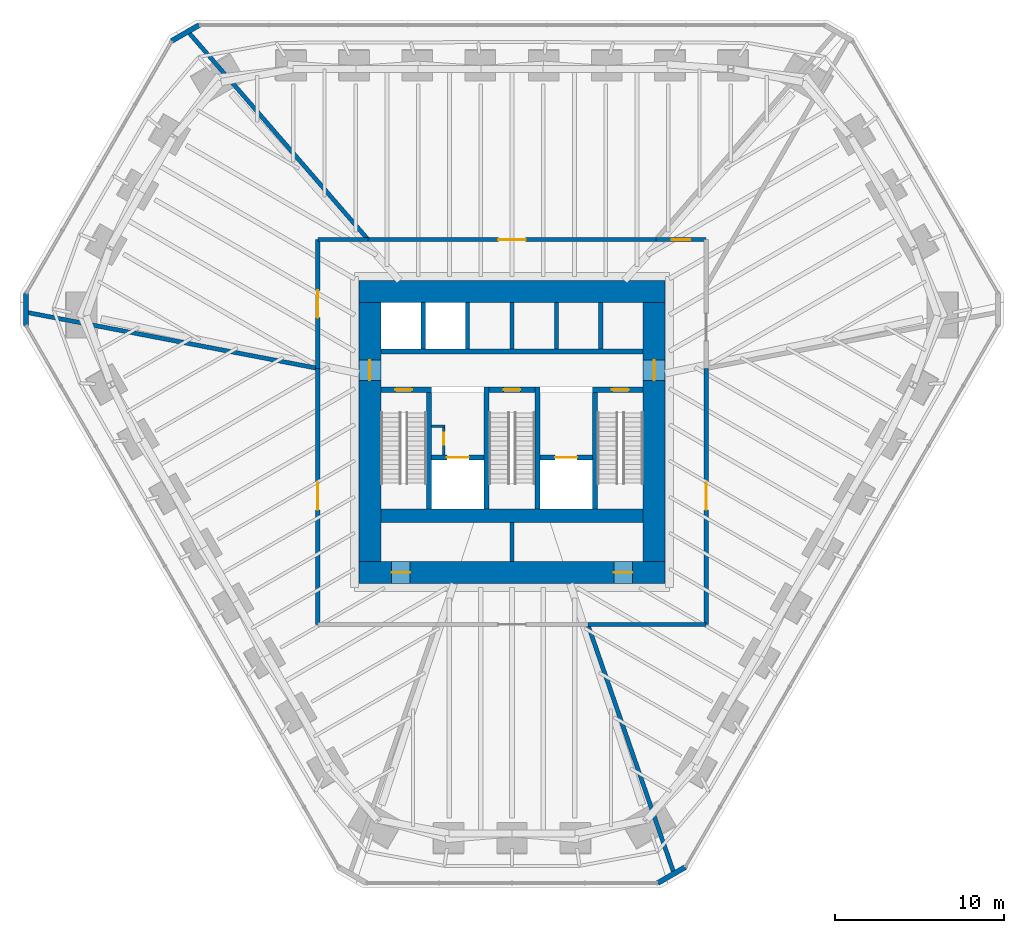
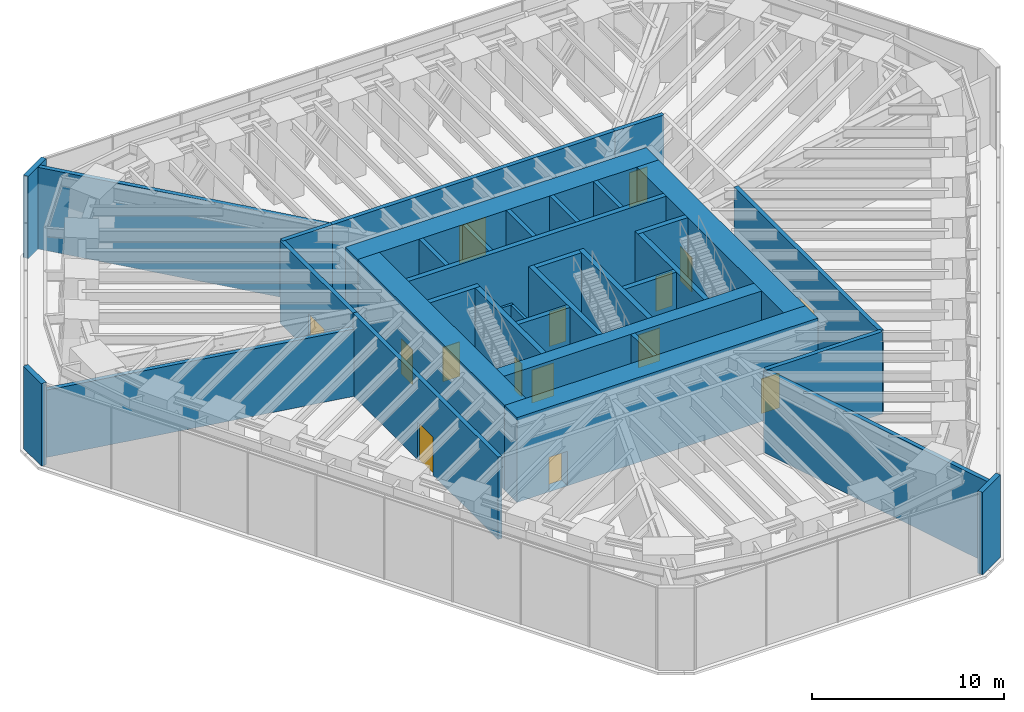
# One storey, part 10 of 12: 36 walls, 15 doors, 15 openings.
"""IFC4 building model written with IfcOpenShell, lengths in metres."""

from ifc_helpers import new_model, si_unit, direction, frame, frame_2d, origin, place, context, subcontext, project, spatial, rectangle, extrude, material, layer, layer_set, type_object, element, fill, save


model = new_model("IFC4")

# Units and contexts
model_context = context("Model", 3, precision=1e-05, world=origin(), true_north=direction((0.0, 1.0)))
body_context = subcontext(model_context, "Body", "Model", "MODEL_VIEW")
ifc_project = project(units=[si_unit("LENGTHUNIT", "METRE"), si_unit("AREAUNIT", "SQUARE_METRE"), si_unit("VOLUMEUNIT", "CUBIC_METRE"), si_unit("PLANEANGLEUNIT", "RADIAN"), si_unit("MASSUNIT", "GRAM", prefix="KILO")], contexts=[model_context])

# Site, building, storey
site_placement = place(None, origin())
site = spatial("IfcSite", under=ifc_project, at=site_placement, CompositionType="ELEMENT")
building_placement = place(site_placement, origin())
building = spatial("IfcBuilding", under=site, at=building_placement, Name="Sandreach Pilgrim Tower", CompositionType="ELEMENT")
storey_placement = place(building_placement, frame((0.0, 0.0, 172.800048828125)))
storey = spatial("IfcBuildingStorey", under=building, at=storey_placement, Name="L43", CompositionType="ELEMENT", Elevation=172.800048828125)

# Walls
ifc_material_1 = material(Name="Concrete 10000 psi", Category="concrete")
ifc_layer_1 = layer(ifc_material_1, 0.300048828125)
ifc_layer_set_1 = layer_set([ifc_layer_1], Name="Core inner wall 300")
wall_type_1 = type_object("IfcWallType", Name="Core inner wall 300", PredefinedType="SHEAR", material=ifc_layer_set_1)
for number, where, z_axis, x_axis, name in (
    (1, (-4.89990234375, -6.10009765625, 0.0), (0.0, 0.0, 1.0), (0.0, 1.0, 0.0), "Core wall I0 L43"),
    (2, (-1.5, -6.10009765625, 0.0), (0.0, 0.0, 1.0), (0.0, 1.0, 0.0), "Core wall I1 L43"),
    (3, (1.5, -6.10009765625, 0.0), (0.0, 0.0, 1.0), (0.0, 1.0, 0.0), "Core wall I2 L43"),
    (4, (4.89990234375, -6.10009765625, 0.0), (0.0, 0.0, 1.0), (0.0, 1.0, 0.0), "Core wall I3 L43"),
):
    element("IfcWall", number, at=place(storey_placement, frame(where, z_axis=z_axis, x_axis=x_axis)), inside=storey, type_object=wall_type_1, Name=name, PredefinedType="SHEAR", context=body_context, shape_type="SweptSolid", body=[
        extrude(rectangle(XDim=7.2001953125, YDim=0.300048828125, at=frame_2d((3.60009765625, 0.0))), origin(), (0.0, 0.0, 1.0), 5.39990234375),
    ])

# Wall, opening, door
wall_1_placement = place(storey_placement, frame((-7.75, 0.949951171875, 0.0), z_axis=(0.0, 0.0, 1.0), x_axis=(1.0, 0.0, 0.0)))
wall_1 = element("IfcWall", 5, at=wall_1_placement, inside=storey, type_object=wall_type_1, Name="Core wall SN1 L43", PredefinedType="SHEAR", context=body_context, shape_type="SweptSolid", body=[
    extrude(rectangle(XDim=3.0, YDim=0.300048828125, at=frame_2d((1.5, 0.0))), origin(), (0.0, 0.0, 1.0), 5.39990234375),
])
opening_1_placement = place(wall_1_placement, frame((0.85009765625, 0.0, 0.0)))
opening_1 = element("IfcOpeningElement", 6, at=opening_1_placement, cuts=wall_1, Name="Opening D10S-ST1", PredefinedType="OPENING", context=body_context, shape_type="SweptSolid", body=[
    extrude(rectangle(XDim=1.0, YDim=2.199951171875, at=frame_2d((0.5, 1.10009765625))), frame((0.0, 0.14990234375, 0.0), z_axis=(0.0, -1.0, 0.0), x_axis=(1.0, 0.0, 0.0)), (0.0, 0.0, 1.0), 0.300048828125),
])
ifc_material_2 = material(Name="Steel door and frame", Category="steel")
door_type_1 = type_object("IfcDoorType", Name="Stair door", OperationType="SINGLE_SWING_LEFT", PredefinedType="DOOR", material=ifc_material_2)
door_1_placement = place(opening_1_placement, origin())
door_1 = element("IfcDoor", 7, at=door_1_placement, inside=storey, type_object=door_type_1, Name="Stair door ST1 L43", OperationType="SINGLE_SWING_LEFT", OverallHeight=2.199951171875, OverallWidth=1.0, PredefinedType="DOOR", context=body_context, shape_type="SweptSolid", body=[
    extrude(rectangle(XDim=1.0, YDim=2.199951171875, at=frame_2d((0.5, 1.10009765625))), frame((0.0, 0.02490234375, 0.0), z_axis=(0.0, -1.0, 0.0), x_axis=(1.0, 0.0, 0.0)), (0.0, 0.0, 1.0), 0.050048828125),
])
fill(opening_1, door_1)

wall_2_placement = place(storey_placement, frame((-1.35009765625, 0.949951171875, 0.0), z_axis=(0.0, 0.0, 1.0), x_axis=(1.0, 0.0, 0.0)))
wall_2 = element("IfcWall", 8, at=wall_2_placement, inside=storey, type_object=wall_type_1, Name="Core wall SN3 L43", PredefinedType="SHEAR", context=body_context, shape_type="SweptSolid", body=[
    extrude(rectangle(XDim=2.7001953125, YDim=0.300048828125, at=frame_2d((1.35009765625, 0.0))), origin(), (0.0, 0.0, 1.0), 5.39990234375),
])
opening_2_placement = place(wall_2_placement, frame((0.85009765625, 0.0, 0.0)))
opening_2 = element("IfcOpeningElement", 9, at=opening_2_placement, cuts=wall_2, Name="Opening D10S-ST3", PredefinedType="OPENING", context=body_context, shape_type="SweptSolid", body=[
    extrude(rectangle(XDim=1.0, YDim=2.199951171875, at=frame_2d((0.5, 1.10009765625))), frame((0.0, 0.14990234375, 0.0), z_axis=(0.0, -1.0, 0.0), x_axis=(1.0, 0.0, 0.0)), (0.0, 0.0, 1.0), 0.300048828125),
])
door_2_placement = place(opening_2_placement, origin())
door_2 = element("IfcDoor", 10, at=door_2_placement, inside=storey, type_object=door_type_1, Name="Stair door ST3 L43", OperationType="SINGLE_SWING_LEFT", OverallHeight=2.199951171875, OverallWidth=1.0, PredefinedType="DOOR", context=body_context, shape_type="SweptSolid", body=[
    extrude(rectangle(XDim=1.0, YDim=2.199951171875, at=frame_2d((0.5, 1.10009765625))), frame((0.0, 0.02490234375, 0.0), z_axis=(0.0, -1.0, 0.0), x_axis=(1.0, 0.0, 0.0)), (0.0, 0.0, 1.0), 0.050048828125),
])
fill(opening_2, door_2)

wall_3_placement = place(storey_placement, frame((4.75, 0.949951171875, 0.0), z_axis=(0.0, 0.0, 1.0), x_axis=(1.0, 0.0, 0.0)))
wall_3 = element("IfcWall", 11, at=wall_3_placement, inside=storey, type_object=wall_type_1, Name="Core wall SN2 L43", PredefinedType="SHEAR", context=body_context, shape_type="SweptSolid", body=[
    extrude(rectangle(XDim=3.0, YDim=0.300048828125, at=frame_2d((1.5, 0.0))), origin(), (0.0, 0.0, 1.0), 5.39990234375),
])
opening_3_placement = place(wall_3_placement, frame((1.14990234375, 0.0, 0.0)))
opening_3 = element("IfcOpeningElement", 12, at=opening_3_placement, cuts=wall_3, Name="Opening D10S-ST2", PredefinedType="OPENING", context=body_context, shape_type="SweptSolid", body=[
    extrude(rectangle(XDim=1.0, YDim=2.199951171875, at=frame_2d((0.5, 1.10009765625))), frame((0.0, 0.14990234375, 0.0), z_axis=(0.0, -1.0, 0.0), x_axis=(1.0, 0.0, 0.0)), (0.0, 0.0, 1.0), 0.300048828125),
])
door_3_placement = place(opening_3_placement, origin())
door_3 = element("IfcDoor", 13, at=door_3_placement, inside=storey, type_object=door_type_1, Name="Stair door ST2 L43", OperationType="SINGLE_SWING_RIGHT", OverallHeight=2.199951171875, OverallWidth=1.0, PredefinedType="DOOR", context=body_context, shape_type="SweptSolid", body=[
    extrude(rectangle(XDim=1.0, YDim=2.199951171875, at=frame_2d((0.5, 1.10009765625))), frame((0.0, 0.02490234375, 0.0), z_axis=(0.0, -1.0, 0.0), x_axis=(1.0, 0.0, 0.0)), (0.0, 0.0, 1.0), 0.050048828125),
])
fill(opening_3, door_3)

wall_4_placement = place(storey_placement, frame((-4.75, -3.050048828125, 0.0), z_axis=(0.0, 0.0, 1.0), x_axis=(1.0, 0.0, 0.0)))
wall_4 = element("IfcWall", 14, at=wall_4_placement, inside=storey, type_object=wall_type_1, Name="Core wall FL1 L43", PredefinedType="SHEAR", context=body_context, shape_type="SweptSolid", body=[
    extrude(rectangle(XDim=3.10009765625, YDim=0.300048828125, at=frame_2d((1.550048828125, 0.0))), origin(), (0.0, 0.0, 1.0), 5.39990234375),
])
opening_4_placement = place(wall_4_placement, frame((0.89990234375, 0.0, 0.0)))
opening_4 = element("IfcOpeningElement", 15, at=opening_4_placement, cuts=wall_4, Name="Opening LD13", PredefinedType="OPENING", context=body_context, shape_type="SweptSolid", body=[
    extrude(rectangle(XDim=1.300048828125, YDim=2.10009765625, at=frame_2d((0.64990234375, 1.050048828125))), frame((0.0, 0.14990234375, 0.0), z_axis=(0.0, -1.0, 0.0), x_axis=(1.0, 0.0, 0.0)), (0.0, 0.0, 1.0), 0.300048828125),
])
ifc_material_3 = material(Name="Steel door and frame", Category="steel")
door_type_2 = type_object("IfcDoorType", Name="Fire service lift landing door", OperationType="DOUBLE_DOOR_SLIDING", PredefinedType="DOOR", material=ifc_material_3)
door_4_placement = place(opening_4_placement, origin())
door_4 = element("IfcDoor", 16, at=door_4_placement, inside=storey, type_object=door_type_2, Name="Lift landing door FS1 L43", OperationType="DOUBLE_DOOR_SLIDING", OverallHeight=2.10009765625, OverallWidth=1.300048828125, PredefinedType="DOOR", context=body_context, shape_type="SweptSolid", body=[
    extrude(rectangle(XDim=1.300048828125, YDim=2.10009765625, at=frame_2d((0.64990234375, 1.050048828125))), frame((0.0, 0.02490234375, 0.0), z_axis=(0.0, -1.0, 0.0), x_axis=(1.0, 0.0, 0.0)), (0.0, 0.0, 1.0), 0.050048828125),
])
fill(opening_4, door_4)

wall_5_placement = place(storey_placement, frame((1.64990234375, -3.050048828125, 0.0), z_axis=(0.0, 0.0, 1.0), x_axis=(1.0, 0.0, 0.0)))
wall_5 = element("IfcWall", 17, at=wall_5_placement, inside=storey, type_object=wall_type_1, Name="Core wall FL2 L43", PredefinedType="SHEAR", context=body_context, shape_type="SweptSolid", body=[
    extrude(rectangle(XDim=3.10009765625, YDim=0.300048828125, at=frame_2d((1.550048828125, 0.0))), origin(), (0.0, 0.0, 1.0), 5.39990234375),
])
opening_5_placement = place(wall_5_placement, frame((0.89990234375, 0.0, 0.0)))
opening_5 = element("IfcOpeningElement", 18, at=opening_5_placement, cuts=wall_5, Name="Opening LD13", PredefinedType="OPENING", context=body_context, shape_type="SweptSolid", body=[
    extrude(rectangle(XDim=1.300048828125, YDim=2.10009765625, at=frame_2d((0.64990234375, 1.050048828125))), frame((0.0, 0.14990234375, 0.0), z_axis=(0.0, -1.0, 0.0), x_axis=(1.0, 0.0, 0.0)), (0.0, 0.0, 1.0), 0.300048828125),
])
door_5_placement = place(opening_5_placement, origin())
door_5 = element("IfcDoor", 19, at=door_5_placement, inside=storey, type_object=door_type_2, Name="Lift landing door FS2 L43", OperationType="DOUBLE_DOOR_SLIDING", OverallHeight=2.10009765625, OverallWidth=1.300048828125, PredefinedType="DOOR", context=body_context, shape_type="SweptSolid", body=[
    extrude(rectangle(XDim=1.300048828125, YDim=2.10009765625, at=frame_2d((0.64990234375, 1.050048828125))), frame((0.0, 0.02490234375, 0.0), z_axis=(0.0, -1.0, 0.0), x_axis=(1.0, 0.0, 0.0)), (0.0, 0.0, 1.0), 0.050048828125),
])
fill(opening_5, door_5)

# Walls
wall_6_placement = place(storey_placement, frame((-7.75, 3.199951171875, 0.0), z_axis=(0.0, 0.0, 1.0), x_axis=(1.0, 0.0, 0.0)))
element("IfcWall", 20, at=wall_6_placement, inside=storey, type_object=wall_type_1, Name="Core wall PN L43", PredefinedType="SHEAR", context=body_context, shape_type="SweptSolid", body=[
    extrude(rectangle(XDim=15.5, YDim=0.300048828125, at=frame_2d((7.75, 0.0))), origin(), (0.0, 0.0, 1.0), 5.39990234375),
])
ifc_material_4 = material(Name="Concrete 10000 psi", Category="concrete")
ifc_layer_2 = layer(ifc_material_4, 0.800048828125)
ifc_layer_set_2 = layer_set([ifc_layer_2], Name="Core mid wall 800")
wall_type_2 = type_object("IfcWallType", Name="Core mid wall 800", PredefinedType="SHEAR", material=ifc_layer_set_2)
wall_7_placement = place(storey_placement, frame((-7.75, -6.5, 0.0), z_axis=(0.0, 0.0, 1.0), x_axis=(1.0, 0.0, 0.0)))
element("IfcWall", 21, at=wall_7_placement, inside=storey, type_object=wall_type_2, Name="Core wall M L43", PredefinedType="SHEAR", context=body_context, shape_type="SweptSolid", body=[
    extrude(rectangle(XDim=15.5, YDim=0.800048828125, at=frame_2d((7.75, 0.0))), origin(), (0.0, 0.0, 1.0), 5.39990234375),
])
ifc_material_5 = material(Name="Concrete 10000 psi", Category="concrete")
ifc_layer_3 = layer(ifc_material_5, 1.300048828125)
ifc_layer_set_3 = layer_set([ifc_layer_3], Name="Core wall 1300")
wall_type_3 = type_object("IfcWallType", Name="Core wall 1300", PredefinedType="SHEAR", material=ifc_layer_set_3)
wall_8_placement = place(storey_placement, frame((-9.050048828125, 6.75, 0.0), z_axis=(0.0, 0.0, 1.0), x_axis=(1.0, 0.0, 0.0)))
element("IfcWall", 22, at=wall_8_placement, inside=storey, type_object=wall_type_3, Name="Core wall N L43", PredefinedType="SHEAR", context=body_context, shape_type="SweptSolid", body=[
    extrude(rectangle(XDim=18.10009765625, YDim=1.300048828125, at=frame_2d((9.050048828125, 0.0))), origin(), (0.0, 0.0, 1.0), 5.39990234375),
])

# Wall, openings, doors
wall_9_placement = place(storey_placement, frame((-9.050048828125, -9.85009765625, 0.0), z_axis=(0.0, 0.0, 1.0), x_axis=(1.0, 0.0, 0.0)))
wall_9 = element("IfcWall", 23, at=wall_9_placement, inside=storey, type_object=wall_type_3, Name="Core wall S L43", PredefinedType="SHEAR", context=body_context, shape_type="SweptSolid", body=[
    extrude(rectangle(XDim=18.10009765625, YDim=1.300048828125, at=frame_2d((9.050048828125, 0.0))), origin(), (0.0, 0.0, 1.0), 5.39990234375),
])
opening_6_placement = place(wall_9_placement, frame((1.9375, 0.0, 0.0)))
opening_6 = element("IfcOpeningElement", 24, at=opening_6_placement, cuts=wall_9, Name="Opening D11H", PredefinedType="OPENING", context=body_context, shape_type="SweptSolid", body=[
    extrude(rectangle(XDim=1.10009765625, YDim=2.199951171875, at=frame_2d((0.550048828125, 1.10009765625))), frame((0.0, 0.64990234375, 0.0), z_axis=(0.0, -1.0, 0.0), x_axis=(1.0, 0.0, 0.0)), (0.0, 0.0, 1.0), 1.300048828125),
])
opening_7_placement = place(wall_9_placement, frame((15.0625, 0.0, 0.0)))
opening_7 = element("IfcOpeningElement", 25, at=opening_7_placement, cuts=wall_9, Name="Opening D11SL", PredefinedType="OPENING", context=body_context, shape_type="SweptSolid", body=[
    extrude(rectangle(XDim=1.10009765625, YDim=2.199951171875, at=frame_2d((0.550048828125, 1.10009765625))), frame((0.0, 0.64990234375, 0.0), z_axis=(0.0, -1.0, 0.0), x_axis=(1.0, 0.0, 0.0)), (0.0, 0.0, 1.0), 1.300048828125),
])
ifc_material_6 = material(Name="Steel door and frame", Category="steel")
door_type_3 = type_object("IfcDoorType", Name="Back of house door", OperationType="SINGLE_SWING_LEFT", PredefinedType="DOOR", material=ifc_material_6)
door_6_placement = place(opening_6_placement, origin())
door_6 = element("IfcDoor", 26, at=door_6_placement, inside=storey, type_object=door_type_3, Name="Door plant store 43K1", OperationType="SINGLE_SWING_LEFT", OverallHeight=2.199951171875, OverallWidth=1.10009765625, PredefinedType="DOOR", context=body_context, shape_type="SweptSolid", body=[
    extrude(rectangle(XDim=1.10009765625, YDim=2.199951171875, at=frame_2d((0.550048828125, 1.10009765625))), frame((0.0, 0.02490234375, 0.0), z_axis=(0.0, -1.0, 0.0), x_axis=(1.0, 0.0, 0.0)), (0.0, 0.0, 1.0), 0.050048828125),
])
fill(opening_6, door_6)
ifc_material_7 = material(Name="Steel sliding door and frame", Category="steel")
door_type_4 = type_object("IfcDoorType", Name="Core room sliding door", OperationType="SLIDING_TO_LEFT", PredefinedType="DOOR", material=ifc_material_7)
door_7_placement = place(opening_7_placement, origin())
door_7 = element("IfcDoor", 27, at=door_7_placement, inside=storey, type_object=door_type_4, Name="Door plant store 43K2", OperationType="SLIDING_TO_LEFT", OverallHeight=2.199951171875, OverallWidth=1.10009765625, PredefinedType="DOOR", context=body_context, shape_type="SweptSolid", body=[
    extrude(rectangle(XDim=1.10009765625, YDim=2.199951171875, at=frame_2d((0.550048828125, 1.10009765625))), frame((0.0, 0.02490234375, 0.0), z_axis=(0.0, -1.0, 0.0), x_axis=(1.0, 0.0, 0.0)), (0.0, 0.0, 1.0), 0.050048828125),
])
fill(opening_7, door_7)

# Wall, opening, door
wall_10_placement = place(storey_placement, frame((-8.39990234375, -9.199951171875, 0.0), z_axis=(0.0, 0.0, 1.0), x_axis=(0.0, 1.0, 0.0)))
wall_10 = element("IfcWall", 28, at=wall_10_placement, inside=storey, type_object=wall_type_3, Name="Core wall W L43", PredefinedType="SHEAR", context=body_context, shape_type="SweptSolid", body=[
    extrude(rectangle(XDim=15.300048828125, YDim=1.300048828125, at=frame_2d((7.64990234375, 0.0))), origin(), (0.0, 0.0, 1.0), 5.39990234375),
])
opening_8_placement = place(wall_10_placement, frame((10.699951171875, 0.0, 0.0)))
opening_8 = element("IfcOpeningElement", 29, at=opening_8_placement, cuts=wall_10, Name="Opening D12F-W", PredefinedType="OPENING", context=body_context, shape_type="SweptSolid", body=[
    extrude(rectangle(XDim=1.199951171875, YDim=2.199951171875, at=frame_2d((0.60009765625, 1.10009765625))), frame((0.0, 0.64990234375, 0.0), z_axis=(0.0, -1.0, 0.0), x_axis=(1.0, 0.0, 0.0)), (0.0, 0.0, 1.0), 1.300048828125),
])
ifc_material_8 = material(Name="Steel door and frame", Category="steel")
door_type_5 = type_object("IfcDoorType", Name="Fire lobby door", OperationType="SINGLE_SWING_LEFT", PredefinedType="DOOR", material=ifc_material_8)
door_8_placement = place(opening_8_placement, origin())
door_8 = element("IfcDoor", 30, at=door_8_placement, inside=storey, type_object=door_type_5, Name="Fire service lobby door W L43", OperationType="SINGLE_SWING_RIGHT", OverallHeight=2.199951171875, OverallWidth=1.199951171875, PredefinedType="DOOR", context=body_context, shape_type="SweptSolid", body=[
    extrude(rectangle(XDim=1.199951171875, YDim=2.199951171875, at=frame_2d((0.60009765625, 1.10009765625))), frame((0.0, 0.02490234375, 0.0), z_axis=(0.0, -1.0, 0.0), x_axis=(1.0, 0.0, 0.0)), (0.0, 0.0, 1.0), 0.050048828125),
])
fill(opening_8, door_8)

wall_11_placement = place(storey_placement, frame((8.39990234375, -9.199951171875, 0.0), z_axis=(0.0, 0.0, 1.0), x_axis=(0.0, 1.0, 0.0)))
wall_11 = element("IfcWall", 31, at=wall_11_placement, inside=storey, type_object=wall_type_3, Name="Core wall E L43", PredefinedType="SHEAR", context=body_context, shape_type="SweptSolid", body=[
    extrude(rectangle(XDim=15.300048828125, YDim=1.300048828125, at=frame_2d((7.64990234375, 0.0))), origin(), (0.0, 0.0, 1.0), 5.39990234375),
])
opening_9_placement = place(wall_11_placement, frame((10.699951171875, 0.0, 0.0)))
opening_9 = element("IfcOpeningElement", 32, at=opening_9_placement, cuts=wall_11, Name="Opening D12F-E", PredefinedType="OPENING", context=body_context, shape_type="SweptSolid", body=[
    extrude(rectangle(XDim=1.199951171875, YDim=2.199951171875, at=frame_2d((0.60009765625, 1.10009765625))), frame((0.0, 0.64990234375, 0.0), z_axis=(0.0, -1.0, 0.0), x_axis=(1.0, 0.0, 0.0)), (0.0, 0.0, 1.0), 1.300048828125),
])
door_9_placement = place(opening_9_placement, origin())
door_9 = element("IfcDoor", 33, at=door_9_placement, inside=storey, type_object=door_type_5, Name="Fire service lobby door E L43", OperationType="SINGLE_SWING_RIGHT", OverallHeight=2.199951171875, OverallWidth=1.199951171875, PredefinedType="DOOR", context=body_context, shape_type="SweptSolid", body=[
    extrude(rectangle(XDim=1.199951171875, YDim=2.199951171875, at=frame_2d((0.60009765625, 1.10009765625))), frame((0.0, 0.02490234375, 0.0), z_axis=(0.0, -1.0, 0.0), x_axis=(1.0, 0.0, 0.0)), (0.0, 0.0, 1.0), 0.050048828125),
])
fill(opening_9, door_9)

# Wall
ifc_material_9 = material(Name="Acoustic gypsum board wall, double frame", Category="gypsum")
ifc_layer_4 = layer(ifc_material_9, 0.25)
ifc_layer_set_4 = layer_set([ifc_layer_4], Name="Hall partition 250")
wall_type_4 = type_object("IfcWallType", Name="Hall partition 250", PredefinedType="PARTITIONING", material=ifc_layer_set_4)
wall_12_placement = place(storey_placement, frame((-28.740478515625, 5.534423828125, 0.0), z_axis=(0.0, 0.0, 1.0), x_axis=(0.981972569211, -0.189023472928, 0.0)))
element("IfcWall", 34, at=wall_12_placement, inside=storey, type_object=wall_type_4, Name="Hall partition L43-001", PredefinedType="PARTITIONING", context=body_context, shape_type="SweptSolid", body=[
    extrude(rectangle(XDim=17.587646484375, YDim=0.25, at=frame_2d((8.7939453125, 0.0))), origin(), (0.0, 0.0, 1.0), 4.282470703125),
])

# Wall, opening, door
wall_13_placement = place(storey_placement, frame((-11.469970703125, 2.2099609375, 0.0), z_axis=(0.0, 0.0, 1.0), x_axis=(0.0, -1.0, 0.0)))
wall_13 = element("IfcWall", 35, at=wall_13_placement, inside=storey, type_object=wall_type_4, Name="Hall partition L43-003", PredefinedType="PARTITIONING", context=body_context, shape_type="SweptSolid", body=[
    extrude(rectangle(XDim=15.1298828125, YDim=0.25, at=frame_2d((7.56494140625, 0.0))), origin(), (0.0, 0.0, 1.0), 5.239990234375),
])
opening_10_placement = place(wall_13_placement, frame((6.764892578125, 0.0, 0.0)))
opening_10 = element("IfcOpeningElement", 36, at=opening_10_placement, cuts=wall_13, Name="Opening D16-05", PredefinedType="OPENING", context=body_context, shape_type="SweptSolid", body=[
    extrude(rectangle(XDim=1.60009765625, YDim=2.39990234375, at=frame_2d((0.800048828125, 1.199951171875))), frame((0.0, 0.125, 0.0), z_axis=(0.0, -1.0, 0.0), x_axis=(1.0, 0.0, 0.0)), (0.0, 0.0, 1.0), 0.25),
])
ifc_material_10 = material(Name="Steel door and frame", Category="steel")
door_type_6 = type_object("IfcDoorType", Name="Hall double door", OperationType="DOUBLE_DOOR_SINGLE_SWING", PredefinedType="DOOR", material=ifc_material_10)
door_10_placement = place(opening_10_placement, origin())
door_10 = element("IfcDoor", 37, at=door_10_placement, inside=storey, type_object=door_type_6, Name="Door 4305", OperationType="DOUBLE_DOOR_SINGLE_SWING", OverallHeight=2.39990234375, OverallWidth=1.60009765625, PredefinedType="DOOR", context=body_context, shape_type="SweptSolid", body=[
    extrude(rectangle(XDim=1.60009765625, YDim=2.39990234375, at=frame_2d((0.800048828125, 1.199951171875))), frame((0.0, 0.02490234375, 0.0), z_axis=(0.0, -1.0, 0.0), x_axis=(1.0, 0.0, 0.0)), (0.0, 0.0, 1.0), 0.050048828125),
])
fill(opening_10, door_10)

wall_14_placement = place(storey_placement, frame((-11.469970703125, 9.820068359375, 0.0), z_axis=(0.0, 0.0, 1.0), x_axis=(0.0, -1.0, 0.0)))
wall_14 = element("IfcWall", 38, at=wall_14_placement, inside=storey, type_object=wall_type_4, Name="Hall partition L43-004", PredefinedType="PARTITIONING", context=body_context, shape_type="SweptSolid", body=[
    extrude(rectangle(XDim=7.610107421875, YDim=0.25, at=frame_2d((3.80517578125, 0.0))), origin(), (0.0, 0.0, 1.0), 5.239990234375),
])
opening_11_placement = place(wall_14_placement, frame((3.0048828125, 0.0, 0.0)))
opening_11 = element("IfcOpeningElement", 39, at=opening_11_placement, cuts=wall_14, Name="Opening D16-06", PredefinedType="OPENING", context=body_context, shape_type="SweptSolid", body=[
    extrude(rectangle(XDim=1.60009765625, YDim=2.39990234375, at=frame_2d((0.800048828125, 1.199951171875))), frame((0.0, 0.125, 0.0), z_axis=(0.0, -1.0, 0.0), x_axis=(1.0, 0.0, 0.0)), (0.0, 0.0, 1.0), 0.25),
])
door_11_placement = place(opening_11_placement, origin())
door_11 = element("IfcDoor", 40, at=door_11_placement, inside=storey, type_object=door_type_6, Name="Door 4306", OperationType="DOUBLE_DOOR_SINGLE_SWING", OverallHeight=2.39990234375, OverallWidth=1.60009765625, PredefinedType="DOOR", context=body_context, shape_type="SweptSolid", body=[
    extrude(rectangle(XDim=1.60009765625, YDim=2.39990234375, at=frame_2d((0.800048828125, 1.199951171875))), frame((0.0, 0.02490234375, 0.0), z_axis=(0.0, -1.0, 0.0), x_axis=(1.0, 0.0, 0.0)), (0.0, 0.0, 1.0), 0.050048828125),
])
fill(opening_11, door_11)

# Walls
wall_15_placement = place(storey_placement, frame((-8.5, 9.820068359375, 0.0), z_axis=(0.0, 0.0, 1.0), x_axis=(-0.654720442505, 0.755871114785, 0.0)))
element("IfcWall", 41, at=wall_15_placement, inside=storey, type_object=wall_type_4, Name="Hall partition L43-006", PredefinedType="PARTITIONING", context=body_context, shape_type="SweptSolid", body=[
    extrude(rectangle(XDim=16.282470703125, YDim=0.25, at=frame_2d((8.14111328125, 0.0))), origin(), (0.0, 0.0, 1.0), 5.199951171875),
])
wall_16_placement = place(storey_placement, frame((-8.5, 9.820068359375, 0.0), z_axis=(0.0, 0.0, 1.0), x_axis=(-1.0, 0.0, 0.0)))
element("IfcWall", 42, at=wall_16_placement, inside=storey, type_object=wall_type_4, Name="Hall partition L43-007", PredefinedType="PARTITIONING", context=body_context, shape_type="SweptSolid", body=[
    extrude(rectangle(XDim=2.969970703125, YDim=0.25, at=frame_2d((1.48486328125, 0.0))), origin(), (0.0, 0.0, 1.0), 5.239990234375),
])
wall_17_placement = place(storey_placement, frame((4.47998046875, -12.919921875, 0.0), z_axis=(0.0, 0.0, 1.0), x_axis=(1.0, 0.0, 0.0)))
element("IfcWall", 43, at=wall_17_placement, inside=storey, type_object=wall_type_4, Name="Hall partition L43-009", PredefinedType="PARTITIONING", context=body_context, shape_type="SweptSolid", body=[
    extrude(rectangle(XDim=6.989990234375, YDim=0.25, at=frame_2d((3.4951171875, 0.0))), origin(), (0.0, 0.0, 1.0), 5.239990234375),
])

# Wall, opening, door
wall_18_placement = place(storey_placement, frame((8.5, 9.820068359375, 0.0), z_axis=(0.0, 0.0, 1.0), x_axis=(-1.0, 0.0, 0.0)))
wall_18 = element("IfcWall", 44, at=wall_18_placement, inside=storey, type_object=wall_type_4, Name="Hall partition L43-010", PredefinedType="PARTITIONING", context=body_context, shape_type="SweptSolid", body=[
    extrude(rectangle(XDim=17.0, YDim=0.25, at=frame_2d((8.5, 0.0))), origin(), (0.0, 0.0, 1.0), 5.239990234375),
])
opening_12_placement = place(wall_18_placement, frame((7.699951171875, 0.0, 0.0)))
opening_12 = element("IfcOpeningElement", 45, at=opening_12_placement, cuts=wall_18, Name="Opening D16-01", PredefinedType="OPENING", context=body_context, shape_type="SweptSolid", body=[
    extrude(rectangle(XDim=1.60009765625, YDim=2.39990234375, at=frame_2d((0.800048828125, 1.199951171875))), frame((0.0, 0.125, 0.0), z_axis=(0.0, -1.0, 0.0), x_axis=(1.0, 0.0, 0.0)), (0.0, 0.0, 1.0), 0.25),
])
door_12_placement = place(opening_12_placement, origin())
door_12 = element("IfcDoor", 46, at=door_12_placement, inside=storey, type_object=door_type_6, Name="Door 4301", OperationType="DOUBLE_DOOR_SINGLE_SWING", OverallHeight=2.39990234375, OverallWidth=1.60009765625, PredefinedType="DOOR", context=body_context, shape_type="SweptSolid", body=[
    extrude(rectangle(XDim=1.60009765625, YDim=2.39990234375, at=frame_2d((0.800048828125, 1.199951171875))), frame((0.0, 0.02490234375, 0.0), z_axis=(0.0, -1.0, 0.0), x_axis=(1.0, 0.0, 0.0)), (0.0, 0.0, 1.0), 0.050048828125),
])
fill(opening_12, door_12)

# Wall
wall_19_placement = place(storey_placement, frame((9.580078125, -27.651611328125, 0.0), z_axis=(0.0, 0.0, 1.0), x_axis=(-0.327148752999, 0.944972853267, 0.0)))
element("IfcWall", 47, at=wall_19_placement, inside=storey, type_object=wall_type_4, Name="Hall partition L43-011", PredefinedType="PARTITIONING", context=body_context, shape_type="SweptSolid", body=[
    extrude(rectangle(XDim=15.589599609375, YDim=0.25, at=frame_2d((7.794921875, 0.0))), origin(), (0.0, 0.0, 1.0), 5.199951171875),
])

# Wall, opening, door
wall_20_placement = place(storey_placement, frame((11.469970703125, -12.919921875, 0.0), z_axis=(0.0, 0.0, 1.0), x_axis=(0.0, 1.0, 0.0)))
wall_20 = element("IfcWall", 48, at=wall_20_placement, inside=storey, type_object=wall_type_4, Name="Hall partition L43-012", PredefinedType="PARTITIONING", context=body_context, shape_type="SweptSolid", body=[
    extrude(rectangle(XDim=15.1298828125, YDim=0.25, at=frame_2d((7.56494140625, 0.0))), origin(), (0.0, 0.0, 1.0), 5.239990234375),
])
opening_13_placement = place(wall_20_placement, frame((6.764892578125, 0.0, 0.0)))
opening_13 = element("IfcOpeningElement", 49, at=opening_13_placement, cuts=wall_20, Name="Opening D16-03", PredefinedType="OPENING", context=body_context, shape_type="SweptSolid", body=[
    extrude(rectangle(XDim=1.60009765625, YDim=2.39990234375, at=frame_2d((0.800048828125, 1.199951171875))), frame((0.0, 0.125, 0.0), z_axis=(0.0, -1.0, 0.0), x_axis=(1.0, 0.0, 0.0)), (0.0, 0.0, 1.0), 0.25),
])
door_13_placement = place(opening_13_placement, origin())
door_13 = element("IfcDoor", 50, at=door_13_placement, inside=storey, type_object=door_type_6, Name="Door 4303", OperationType="DOUBLE_DOOR_SINGLE_SWING", OverallHeight=2.39990234375, OverallWidth=1.60009765625, PredefinedType="DOOR", context=body_context, shape_type="SweptSolid", body=[
    extrude(rectangle(XDim=1.60009765625, YDim=2.39990234375, at=frame_2d((0.800048828125, 1.199951171875))), frame((0.0, 0.02490234375, 0.0), z_axis=(0.0, -1.0, 0.0), x_axis=(1.0, 0.0, 0.0)), (0.0, 0.0, 1.0), 0.050048828125),
])
fill(opening_13, door_13)

wall_21_placement = place(storey_placement, frame((11.469970703125, 9.820068359375, 0.0), z_axis=(0.0, 0.0, 1.0), x_axis=(-1.0, 0.0, 0.0)))
wall_21 = element("IfcWall", 51, at=wall_21_placement, inside=storey, type_object=wall_type_4, Name="Hall partition L43-016", PredefinedType="PARTITIONING", context=body_context, shape_type="SweptSolid", body=[
    extrude(rectangle(XDim=2.969970703125, YDim=0.25, at=frame_2d((1.48486328125, 0.0))), origin(), (0.0, 0.0, 1.0), 5.239990234375),
])
opening_14_placement = place(wall_21_placement, frame((0.93505859375, 0.0, 0.0)))
opening_14 = element("IfcOpeningElement", 52, at=opening_14_placement, cuts=wall_21, Name="Opening D11H-N1", PredefinedType="OPENING", context=body_context, shape_type="SweptSolid", body=[
    extrude(rectangle(XDim=1.10009765625, YDim=2.199951171875, at=frame_2d((0.550048828125, 1.10009765625))), frame((0.0, 0.125, 0.0), z_axis=(0.0, -1.0, 0.0), x_axis=(1.0, 0.0, 0.0)), (0.0, 0.0, 1.0), 0.25),
])
door_14_placement = place(opening_14_placement, origin())
door_14 = element("IfcDoor", 53, at=door_14_placement, inside=storey, type_object=door_type_3, Name="Door 43N1", OperationType="SINGLE_SWING_LEFT", OverallHeight=2.199951171875, OverallWidth=1.10009765625, PredefinedType="DOOR", context=body_context, shape_type="SweptSolid", body=[
    extrude(rectangle(XDim=1.10009765625, YDim=2.199951171875, at=frame_2d((0.550048828125, 1.10009765625))), frame((0.0, 0.02490234375, 0.0), z_axis=(0.0, -1.0, 0.0), x_axis=(1.0, 0.0, 0.0)), (0.0, 0.0, 1.0), 0.050048828125),
])
fill(opening_14, door_14)

ifc_material_11 = material(Name="Gypsum shaft wall on steel studs, shaft liner board", Category="steel")
ifc_layer_5 = layer(ifc_material_11, 0.14990234375)
ifc_layer_set_5 = layer_set([ifc_layer_5], Name="Riser shaft wall 150")
wall_type_5 = type_object("IfcWallType", Name="Riser shaft wall 150", PredefinedType="PARTITIONING", material=ifc_layer_set_5)
wall_22_placement = place(storey_placement, frame((-4.02490234375, -2.89990234375, 0.0), z_axis=(0.0, 0.0, 1.0), x_axis=(0.0, 1.0, 0.0)))
wall_22 = element("IfcWall", 54, at=wall_22_placement, inside=storey, type_object=wall_type_5, Name="Riser partition L43 side", PredefinedType="PARTITIONING", context=body_context, shape_type="SweptSolid", body=[
    extrude(rectangle(XDim=1.77490234375, YDim=0.14990234375, at=frame_2d((0.887451171875, 0.0))), origin(), (0.0, 0.0, 1.0), 5.239990234375),
])
opening_15_placement = place(wall_22_placement, frame((0.60009765625, 0.0, 0.0)))
opening_15 = element("IfcOpeningElement", 55, at=opening_15_placement, cuts=wall_22, Name="Opening D07R", PredefinedType="OPENING", context=body_context, shape_type="SweptSolid", body=[
    extrude(rectangle(XDim=0.699951171875, YDim=2.10009765625, at=frame_2d((0.35009765625, 1.050048828125))), frame((0.0, 0.074951171875, 0.0), z_axis=(0.0, -1.0, 0.0), x_axis=(1.0, 0.0, 0.0)), (0.0, 0.0, 1.0), 0.14990234375),
])
ifc_material_12 = material(Name="Steel door and frame, smoke seals", Category="steel")
door_type_7 = type_object("IfcDoorType", Name="Riser access door", OperationType="SINGLE_SWING_RIGHT", PredefinedType="DOOR", material=ifc_material_12)
door_15_placement = place(opening_15_placement, origin())
door_15 = element("IfcDoor", 56, at=door_15_placement, inside=storey, type_object=door_type_7, Name="Door riser 43ER", OperationType="SINGLE_SWING_RIGHT", OverallHeight=2.10009765625, OverallWidth=0.699951171875, PredefinedType="DOOR", context=body_context, shape_type="SweptSolid", body=[
    extrude(rectangle(XDim=0.699951171875, YDim=2.10009765625, at=frame_2d((0.35009765625, 1.050048828125))), frame((0.0, 0.02490234375, 0.0), z_axis=(0.0, -1.0, 0.0), x_axis=(1.0, 0.0, 0.0)), (0.0, 0.0, 1.0), 0.050048828125),
])
fill(opening_15, door_15)

# Walls
wall_23_placement = place(storey_placement, frame((-4.75, -1.199951171875, 0.0), z_axis=(0.0, 0.0, 1.0), x_axis=(1.0, 0.0, 0.0)))
element("IfcWall", 57, at=wall_23_placement, inside=storey, type_object=wall_type_5, Name="Riser partition L43 front", PredefinedType="PARTITIONING", context=body_context, shape_type="SweptSolid", body=[
    extrude(rectangle(XDim=0.800048828125, YDim=0.14990234375, at=frame_2d((0.39990234375, 0.0))), origin(), (0.0, 0.0, 1.0), 5.239990234375),
])
ifc_material_13 = material(Name="Gypsum shaft wall on steel studs, two layers of shaft liner board", Category="steel")
ifc_layer_6 = layer(ifc_material_13, 0.25)
ifc_layer_set_6 = layer_set([ifc_layer_6], Name="Shaft partition 250")
wall_type_6 = type_object("IfcWallType", Name="Shaft partition 250", PredefinedType="PARTITIONING", material=ifc_layer_set_6)
for number, where, z_axis, x_axis, name in (
    (58, (-5.25, 3.35009765625, 0.0), (0.0, 0.0, 1.0), (0.0, 1.0, 0.0), "Shaft partition NS0 L43"),
    (59, (-2.625, 3.35009765625, 0.0), (0.0, 0.0, 1.0), (0.0, 1.0, 0.0), "Shaft partition NS1 L43"),
    (60, (0.0, 3.35009765625, 0.0), (0.0, 0.0, 1.0), (0.0, 1.0, 0.0), "Shaft partition NS2 L43"),
    (61, (2.625, 3.35009765625, 0.0), (0.0, 0.0, 1.0), (0.0, 1.0, 0.0), "Shaft partition NS3 L43"),
    (62, (5.25, 3.35009765625, 0.0), (0.0, 0.0, 1.0), (0.0, 1.0, 0.0), "Shaft partition NS4 L43"),
):
    element("IfcWall", number, at=place(storey_placement, frame(where, z_axis=z_axis, x_axis=x_axis)), inside=storey, type_object=wall_type_6, Name=name, PredefinedType="PARTITIONING", context=body_context, shape_type="SweptSolid", body=[
        extrude(rectangle(XDim=2.75, YDim=0.25, at=frame_2d((1.375, 0.0))), origin(), (0.0, 0.0, 1.0), 5.39990234375),
    ])
wall_24_placement = place(storey_placement, frame((0.0, -9.199951171875, 0.0), z_axis=(0.0, 0.0, 1.0), x_axis=(0.0, 1.0, 0.0)))
element("IfcWall", 63, at=wall_24_placement, inside=storey, type_object=wall_type_6, Name="Shaft partition XS2 L43", PredefinedType="PARTITIONING", context=body_context, shape_type="SweptSolid", body=[
    extrude(rectangle(XDim=2.300048828125, YDim=0.25, at=frame_2d((1.14990234375, 0.0))), origin(), (0.0, 0.0, 1.0), 5.39990234375),
])
ifc_material_14 = material(Name="Terracotta rainscreen on concrete", Category="masonry")
ifc_layer_7 = layer(ifc_material_14, 0.300048828125)
ifc_layer_set_7 = layer_set([ifc_layer_7], Name="Terracotta chamfer pier")
wall_type_7 = type_object("IfcWallType", Name="Terracotta chamfer pier", PredefinedType="SOLIDWALL", material=ifc_layer_set_7)
wall_25_placement = place(storey_placement, frame((10.239501953125, -27.252197265625, 0.0), z_axis=(0.0, 0.0, 1.0), x_axis=(-0.866045024864, -0.499966013754, 0.0)))
element("IfcWall", 64, at=wall_25_placement, inside=storey, type_object=wall_type_7, Name="Chamfer pier L43 SE", PredefinedType="SOLIDWALL", context=body_context, shape_type="SweptSolid", body=[
    extrude(rectangle(XDim=1.880126953125, YDim=0.300048828125, at=frame_2d((0.93994140625, 0.0))), origin(), (0.0, 0.0, 1.0), 5.239990234375),
])
wall_26_placement = place(storey_placement, frame((-28.720947265625, 4.758544921875, 0.0), z_axis=(0.0, 0.0, 1.0), x_axis=(0.0, 1.0, 0.0)))
element("IfcWall", 65, at=wall_26_placement, inside=storey, type_object=wall_type_7, Name="Chamfer pier L43 SW", PredefinedType="SOLIDWALL", context=body_context, shape_type="SweptSolid", body=[
    extrude(rectangle(XDim=1.8798828125, YDim=0.300048828125, at=frame_2d((0.93994140625, 0.0))), origin(), (0.0, 0.0, 1.0), 5.239990234375),
])
wall_27_placement = place(storey_placement, frame((-20.109619140625, 21.5537109375, 0.0), z_axis=(0.0, 0.0, 1.0), x_axis=(0.865988793993, 0.500063404658, 0.0)))
element("IfcWall", 66, at=wall_27_placement, inside=storey, type_object=wall_type_7, Name="Chamfer pier L43 NW", PredefinedType="SOLIDWALL", context=body_context, shape_type="SweptSolid", body=[
    extrude(rectangle(XDim=1.880126953125, YDim=0.300048828125, at=frame_2d((0.93994140625, 0.0))), origin(), (0.0, 0.0, 1.0), 5.239990234375),
])

save(model, "model.ifc")
